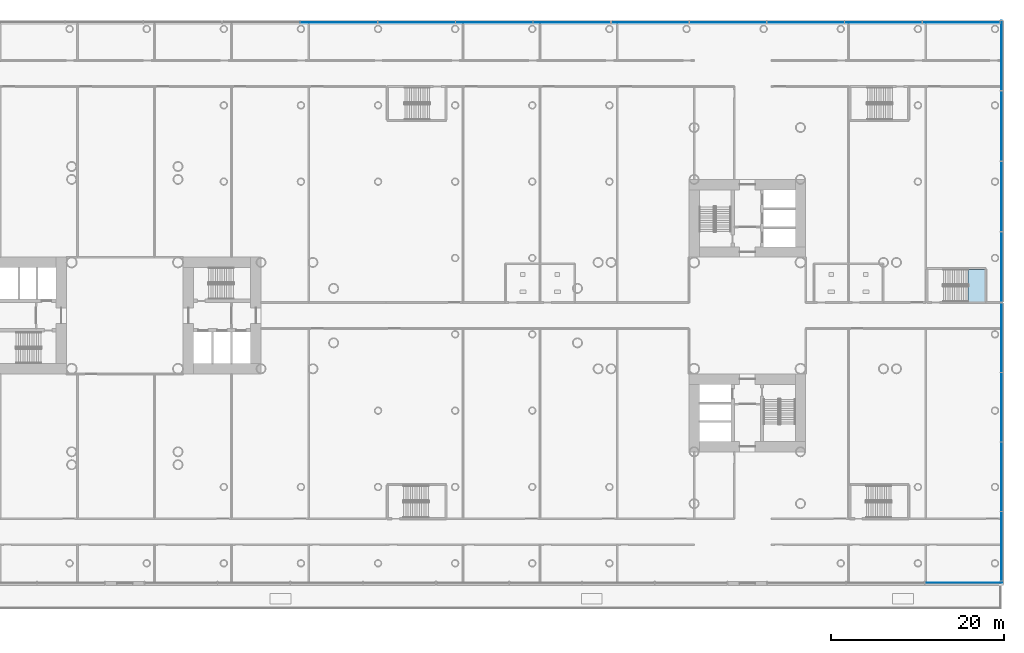
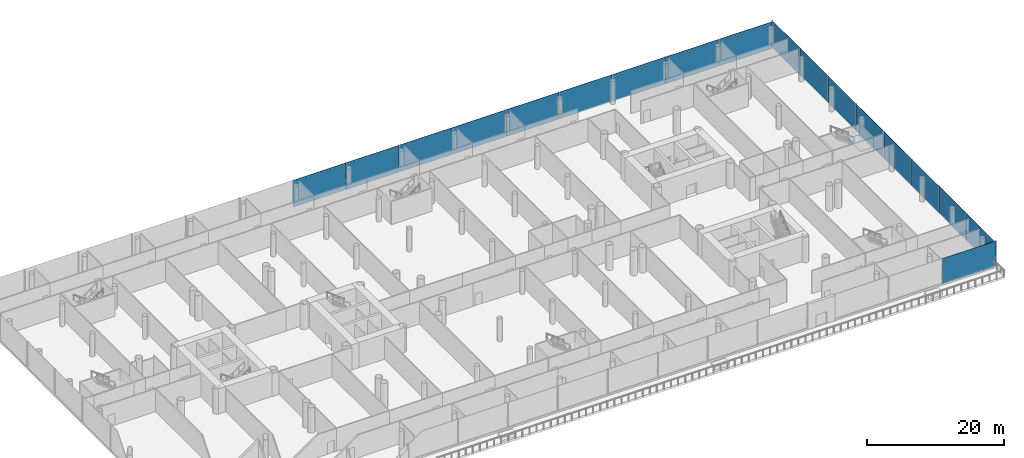
# One storey, part 16 of 49: 18 plates, 1 slab, 6 elements without a shape of their own.
"""IFC4 building model written with IfcOpenShell, lengths in metres."""

from ifc_helpers import new_model, si_unit, direction, frame, origin, origin_2d, place, context, subcontext, project, spatial, polyline, rectangle, outline, extrude, material, layer, layer_set, type_object, element, aggregate, save


model = new_model("IFC4")

# Units and contexts
model_context = context("Model", 3, precision=1e-05, world=origin(), true_north=direction((0.0, 1.0)))
body_context = subcontext(model_context, "Body", "Model", "MODEL_VIEW")
ifc_project = project(units=[si_unit("LENGTHUNIT", "METRE"), si_unit("AREAUNIT", "SQUARE_METRE"), si_unit("VOLUMEUNIT", "CUBIC_METRE"), si_unit("PLANEANGLEUNIT", "RADIAN"), si_unit("MASSUNIT", "GRAM", prefix="KILO")], contexts=[model_context])

# Site, building, storey
site_placement = place(None, origin())
site = spatial("IfcSite", under=ifc_project, at=site_placement, CompositionType="ELEMENT")
building_placement = place(site_placement, origin())
building = spatial("IfcBuilding", under=site, at=building_placement, Name="Ipe Terrace Towers", CompositionType="ELEMENT")
storey_placement = place(building_placement, frame((0.0, 0.0, 20.0)))
storey = spatial("IfcBuildingStorey", under=building, at=storey_placement, Name="L04", CompositionType="ELEMENT", Elevation=20.0)

# Stair, slab
ifc_material_1 = material(Name="Concrete C30/37", Category="concrete")
stair_type = type_object("IfcStairType", Name="Protected exit stair", PredefinedType="HALF_TURN_STAIR", material=ifc_material_1)
stair_placement = place(storey_placement, origin())
stair = element("IfcStair", 1, at=stair_placement, inside=storey, type_object=stair_type, Name="L04 Podium exit stair PS8", PredefinedType="HALF_TURN_STAIR")
ifc_material_2 = material(Name="Concrete C30/37", Category="concrete")
ifc_layer_1 = layer(ifc_material_2, 0.199951171875)
ifc_layer_set_1 = layer_set([ifc_layer_1], Name="Exit stair landing 200")
slab_type = type_object("IfcSlabType", Name="Exit stair landing 200", PredefinedType="LANDING", material=ifc_layer_set_1)
slab_placement = place(storey_placement, frame((0.0, 0.0, 2.050048828125)))
slab = element("IfcSlab", 2, at=slab_placement, type_object=slab_type, Name="PS8 landing 1", PredefinedType="LANDING", context=body_context, shape_type="SweptSolid", body=[
    extrude(outline(polyline([(61.550048828125, 1.60009765625), (63.489990234375, 1.60009765625), (63.489990234375, 5.35009765625), (61.550048828125, 5.35009765625), (61.550048828125, 1.60009765625)])), origin(), (0.0, 0.0, 1.0), 0.199951171875),
])
aggregate(stair, [slab])

# Curtain wall, plates
ifc_material_3 = material(Name="Aluminium alloy 6063-T6", Category="aluminium")
ifc_layer_2 = layer(ifc_material_3, 0.43994140625)
ifc_layer_set_2 = layer_set([ifc_layer_2], Name="PODIUM GLAZING CURTAIN WALL")
curtain_wall_type = type_object("IfcCurtainWallType", Name="PODIUM GLAZING CURTAIN WALL", PredefinedType="NOTDEFINED", material=ifc_layer_set_2)
curtain_wall_1_placement = place(storey_placement, origin())
curtain_wall_1 = element("IfcCurtainWall", 3, at=curtain_wall_1_placement, inside=storey, type_object=curtain_wall_type, Name="POD-CW-L04-00a curtain wall", PredefinedType="NOTDEFINED")
ifc_material_4 = material(Name="Glass, clear laminated", Category="glass")
ifc_layer_3 = layer(ifc_material_4, 0.035888671875)
ifc_layer_set_3 = layer_set([ifc_layer_3], Name="PODIUM GLAZING GLASS PANEL 36")
plate_type = type_object("IfcPlateType", Name="PODIUM GLAZING GLASS PANEL 36", PredefinedType="CURTAIN_PANEL", material=ifc_layer_set_3)
plate_1_placement = place(storey_placement, frame((65.39990234375, -26.688720703125, -0.2998046875), z_axis=(0.0, 0.0, 1.0), x_axis=(0.0, 1.0, 0.0)))
plate_1 = element("IfcPlate", 4, at=plate_1_placement, type_object=plate_type, Name="POD-CW-L04-00a panel 1", PredefinedType="CURTAIN_PANEL", context=body_context, shape_type="SweptSolid", body=[
    extrude(rectangle(XDim=7.96240234375, YDim=0.035888671875, at=origin_2d()), origin(), (0.0, 0.0, 1.0), 4.800048828125),
])
plate_2_placement = place(storey_placement, frame((65.39990234375, -18.646240234375, -0.2998046875), z_axis=(0.0, 0.0, 1.0), x_axis=(0.0, 1.0, 0.0)))
plate_2 = element("IfcPlate", 5, at=plate_2_placement, type_object=plate_type, Name="POD-CW-L04-00a panel 2", PredefinedType="CURTAIN_PANEL", context=body_context, shape_type="SweptSolid", body=[
    extrude(rectangle(XDim=7.96240234375, YDim=0.035888671875, at=origin_2d()), origin(), (0.0, 0.0, 1.0), 4.800048828125),
])
plate_3_placement = place(storey_placement, frame((65.39990234375, -10.603759765625, -0.2998046875), z_axis=(0.0, 0.0, 1.0), x_axis=(0.0, 1.0, 0.0)))
plate_3 = element("IfcPlate", 6, at=plate_3_placement, type_object=plate_type, Name="POD-CW-L04-00a panel 3", PredefinedType="CURTAIN_PANEL", context=body_context, shape_type="SweptSolid", body=[
    extrude(rectangle(XDim=7.96240234375, YDim=0.035888671875, at=origin_2d()), origin(), (0.0, 0.0, 1.0), 4.800048828125),
])
plate_4_placement = place(storey_placement, frame((65.39990234375, -2.561279296875, -0.2998046875), z_axis=(0.0, 0.0, 1.0), x_axis=(0.0, 1.0, 0.0)))
plate_4 = element("IfcPlate", 7, at=plate_4_placement, type_object=plate_type, Name="POD-CW-L04-00a panel 4", PredefinedType="CURTAIN_PANEL", context=body_context, shape_type="SweptSolid", body=[
    extrude(rectangle(XDim=7.96240234375, YDim=0.035888671875, at=origin_2d()), origin(), (0.0, 0.0, 1.0), 4.800048828125),
])
aggregate(curtain_wall_1, [plate_1, plate_2, plate_3, plate_4])

curtain_wall_2_placement = place(storey_placement, origin())
curtain_wall_2 = element("IfcCurtainWall", 8, at=curtain_wall_2_placement, inside=storey, type_object=curtain_wall_type, Name="POD-CW-L04-00b curtain wall", PredefinedType="NOTDEFINED")
plate_5_placement = place(storey_placement, frame((65.39990234375, 5.6162109375, -0.2998046875), z_axis=(0.0, 0.0, 1.0), x_axis=(0.0, 1.0, 0.0)))
plate_5 = element("IfcPlate", 9, at=plate_5_placement, type_object=plate_type, Name="POD-CW-L04-00b panel 1", PredefinedType="CURTAIN_PANEL", context=body_context, shape_type="SweptSolid", body=[
    extrude(rectangle(XDim=8.072509765625, YDim=0.035888671875, at=origin_2d()), origin(), (0.0, 0.0, 1.0), 4.800048828125),
])
plate_6_placement = place(storey_placement, frame((65.39990234375, 13.768798828125, -0.2998046875), z_axis=(0.0, 0.0, 1.0), x_axis=(0.0, 1.0, 0.0)))
plate_6 = element("IfcPlate", 10, at=plate_6_placement, type_object=plate_type, Name="POD-CW-L04-00b panel 2", PredefinedType="CURTAIN_PANEL", context=body_context, shape_type="SweptSolid", body=[
    extrude(rectangle(XDim=8.072509765625, YDim=0.035888671875, at=origin_2d()), origin(), (0.0, 0.0, 1.0), 4.800048828125),
])
plate_7_placement = place(storey_placement, frame((65.39990234375, 21.921142578125, -0.2998046875), z_axis=(0.0, 0.0, 1.0), x_axis=(0.0, 1.0, 0.0)))
plate_7 = element("IfcPlate", 11, at=plate_7_placement, type_object=plate_type, Name="POD-CW-L04-00b panel 3", PredefinedType="CURTAIN_PANEL", context=body_context, shape_type="SweptSolid", body=[
    extrude(rectangle(XDim=8.072509765625, YDim=0.035888671875, at=origin_2d()), origin(), (0.0, 0.0, 1.0), 4.800048828125),
])
plate_8_placement = place(storey_placement, frame((65.39990234375, 30.07373046875, -0.2998046875), z_axis=(0.0, 0.0, 1.0), x_axis=(0.0, 1.0, 0.0)))
plate_8 = element("IfcPlate", 12, at=plate_8_placement, type_object=plate_type, Name="POD-CW-L04-00b panel 4", PredefinedType="CURTAIN_PANEL", context=body_context, shape_type="SweptSolid", body=[
    extrude(rectangle(XDim=8.072509765625, YDim=0.035888671875, at=origin_2d()), origin(), (0.0, 0.0, 1.0), 4.800048828125),
])
aggregate(curtain_wall_2, [plate_5, plate_6, plate_7, plate_8])

curtain_wall_3_placement = place(storey_placement, origin())
curtain_wall_3 = element("IfcCurtainWall", 13, at=curtain_wall_3_placement, inside=storey, type_object=curtain_wall_type, Name="POD-CW-L04-01a curtain wall", PredefinedType="NOTDEFINED")
plate_9_placement = place(storey_placement, frame((60.718017578125, 33.89990234375, -0.2998046875), z_axis=(0.0, 0.0, 1.0), x_axis=(-1.0, 0.0, 0.0)))
plate_9 = element("IfcPlate", 14, at=plate_9_placement, type_object=plate_type, Name="POD-CW-L04-01a panel 1", PredefinedType="CURTAIN_PANEL", context=body_context, shape_type="SweptSolid", body=[
    extrude(rectangle(XDim=8.904052734375, YDim=0.035888671875, at=origin_2d()), origin(), (0.0, 0.0, 1.0), 4.800048828125),
])
plate_10_placement = place(storey_placement, frame((51.73388671875, 33.89990234375, -0.2998046875), z_axis=(0.0, 0.0, 1.0), x_axis=(-1.0, 0.0, 0.0)))
plate_10 = element("IfcPlate", 15, at=plate_10_placement, type_object=plate_type, Name="POD-CW-L04-01a panel 2", PredefinedType="CURTAIN_PANEL", context=body_context, shape_type="SweptSolid", body=[
    extrude(rectangle(XDim=8.904052734375, YDim=0.035888671875, at=origin_2d()), origin(), (0.0, 0.0, 1.0), 4.800048828125),
])
plate_11_placement = place(storey_placement, frame((42.75, 33.89990234375, -0.2998046875), z_axis=(0.0, 0.0, 1.0), x_axis=(-1.0, 0.0, 0.0)))
plate_11 = element("IfcPlate", 16, at=plate_11_placement, type_object=plate_type, Name="POD-CW-L04-01a panel 3", PredefinedType="CURTAIN_PANEL", context=body_context, shape_type="SweptSolid", body=[
    extrude(rectangle(XDim=8.904052734375, YDim=0.035888671875, at=origin_2d()), origin(), (0.0, 0.0, 1.0), 4.800048828125),
])
plate_12_placement = place(storey_placement, frame((33.76611328125, 33.89990234375, -0.2998046875), z_axis=(0.0, 0.0, 1.0), x_axis=(-1.0, 0.0, 0.0)))
plate_12 = element("IfcPlate", 17, at=plate_12_placement, type_object=plate_type, Name="POD-CW-L04-01a panel 4", PredefinedType="CURTAIN_PANEL", context=body_context, shape_type="SweptSolid", body=[
    extrude(rectangle(XDim=8.904052734375, YDim=0.035888671875, at=origin_2d()), origin(), (0.0, 0.0, 1.0), 4.800048828125),
])
plate_13_placement = place(storey_placement, frame((24.781982421875, 33.89990234375, -0.2998046875), z_axis=(0.0, 0.0, 1.0), x_axis=(-1.0, 0.0, 0.0)))
plate_13 = element("IfcPlate", 18, at=plate_13_placement, type_object=plate_type, Name="POD-CW-L04-01a panel 5", PredefinedType="CURTAIN_PANEL", context=body_context, shape_type="SweptSolid", body=[
    extrude(rectangle(XDim=8.904052734375, YDim=0.035888671875, at=origin_2d()), origin(), (0.0, 0.0, 1.0), 4.800048828125),
])
aggregate(curtain_wall_3, [plate_9, plate_10, plate_11, plate_12, plate_13])

curtain_wall_4_placement = place(storey_placement, origin())
curtain_wall_4 = element("IfcCurtainWall", 19, at=curtain_wall_4_placement, inside=storey, type_object=curtain_wall_type, Name="POD-CW-L04-01b curtain wall", PredefinedType="NOTDEFINED")
plate_14_placement = place(storey_placement, frame((15.718017578125, 33.89990234375, -0.2998046875), z_axis=(0.0, 0.0, 1.0), x_axis=(-1.0, 0.0, 0.0)))
plate_14 = element("IfcPlate", 20, at=plate_14_placement, type_object=plate_type, Name="POD-CW-L04-01b panel 1", PredefinedType="CURTAIN_PANEL", context=body_context, shape_type="SweptSolid", body=[
    extrude(rectangle(XDim=8.904052734375, YDim=0.035888671875, at=origin_2d()), origin(), (0.0, 0.0, 1.0), 4.800048828125),
])
plate_15_placement = place(storey_placement, frame((6.73388671875, 33.89990234375, -0.2998046875), z_axis=(0.0, 0.0, 1.0), x_axis=(-1.0, 0.0, 0.0)))
plate_15 = element("IfcPlate", 21, at=plate_15_placement, type_object=plate_type, Name="POD-CW-L04-01b panel 2", PredefinedType="CURTAIN_PANEL", context=body_context, shape_type="SweptSolid", body=[
    extrude(rectangle(XDim=8.904052734375, YDim=0.035888671875, at=origin_2d()), origin(), (0.0, 0.0, 1.0), 4.800048828125),
])
plate_16_placement = place(storey_placement, frame((-2.25, 33.89990234375, -0.2998046875), z_axis=(0.0, 0.0, 1.0), x_axis=(-1.0, 0.0, 0.0)))
plate_16 = element("IfcPlate", 22, at=plate_16_placement, type_object=plate_type, Name="POD-CW-L04-01b panel 3", PredefinedType="CURTAIN_PANEL", context=body_context, shape_type="SweptSolid", body=[
    extrude(rectangle(XDim=8.904052734375, YDim=0.035888671875, at=origin_2d()), origin(), (0.0, 0.0, 1.0), 4.800048828125),
])
plate_17_placement = place(storey_placement, frame((-11.23388671875, 33.89990234375, -0.2998046875), z_axis=(0.0, 0.0, 1.0), x_axis=(-1.0, 0.0, 0.0)))
plate_17 = element("IfcPlate", 23, at=plate_17_placement, type_object=plate_type, Name="POD-CW-L04-01b panel 4", PredefinedType="CURTAIN_PANEL", context=body_context, shape_type="SweptSolid", body=[
    extrude(rectangle(XDim=8.904052734375, YDim=0.035888671875, at=origin_2d()), origin(), (0.0, 0.0, 1.0), 4.800048828125),
])
aggregate(curtain_wall_4, [plate_14, plate_15, plate_16, plate_17])

# Curtain wall, plate
curtain_wall_5_placement = place(storey_placement, origin())
curtain_wall_5 = element("IfcCurtainWall", 24, at=curtain_wall_5_placement, inside=storey, type_object=curtain_wall_type, Name="POD-CW-L04-03f curtain wall", PredefinedType="NOTDEFINED")
plate_18_placement = place(storey_placement, frame((61.090087890625, -30.89990234375, -0.02001953125), z_axis=(0.0, 0.0, 1.0), x_axis=(1.0, 0.0, 0.0)))
plate_18 = element("IfcPlate", 25, at=plate_18_placement, type_object=plate_type, Name="POD-CW-L04-03f panel 3", PredefinedType="CURTAIN_PANEL", context=body_context, shape_type="SweptSolid", body=[
    extrude(rectangle(XDim=9.0400390625, YDim=0.035888671875, at=origin_2d()), origin(), (0.0, 0.0, 1.0), 4.52001953125),
])
aggregate(curtain_wall_5, [plate_18])

save(model, "model.ifc")
